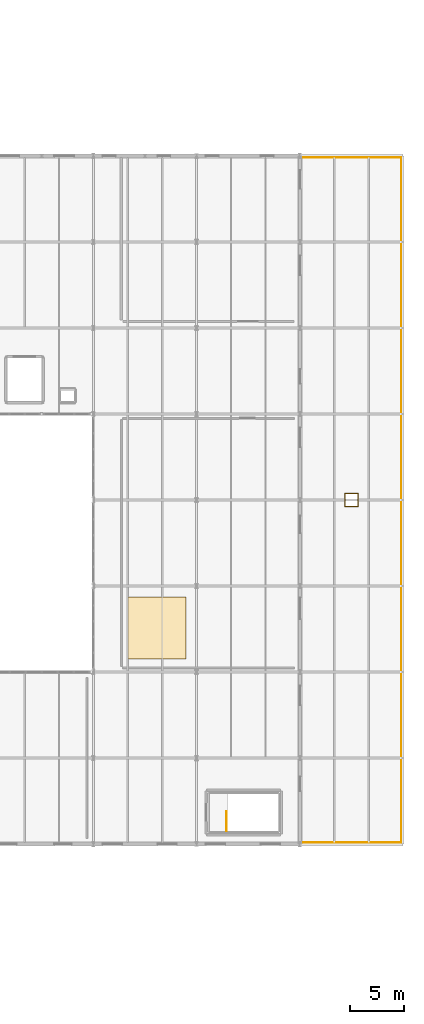
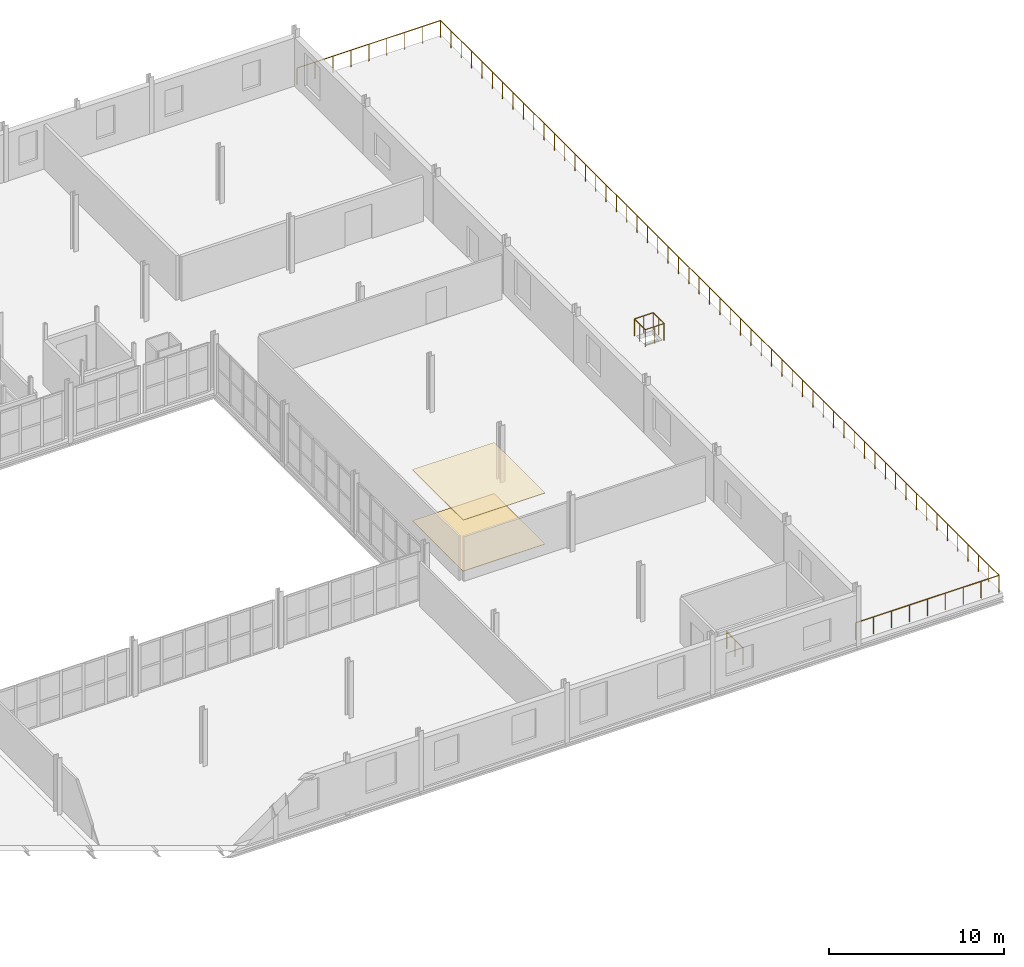
# One storey, part 85 of 85: 4 railings, 2 coverings.
"""IFC4 building model written with IfcOpenShell, lengths in metres."""

from ifc_helpers import new_model, si_unit, direction, frame, origin, origin_2d, place, context, subcontext, project, spatial, polyline, circle, outline, extrude, material, layer, layer_set, type_object, element, save


model = new_model("IFC4")

# Units and contexts
model_context = context("Model", 3, precision=1e-05, world=origin(), true_north=direction((0.0, 1.0)))
body_context = subcontext(model_context, "Body", "Model", "MODEL_VIEW")
ifc_project = project(units=[si_unit("LENGTHUNIT", "METRE"), si_unit("AREAUNIT", "SQUARE_METRE"), si_unit("VOLUMEUNIT", "CUBIC_METRE"), si_unit("PLANEANGLEUNIT", "RADIAN"), si_unit("MASSUNIT", "GRAM", prefix="KILO")], contexts=[model_context])

# Site, building, storey
site_placement = place(None, origin())
site = spatial("IfcSite", under=ifc_project, at=site_placement, CompositionType="ELEMENT")
building_placement = place(site_placement, origin())
building = spatial("IfcBuilding", under=site, at=building_placement, Name="Alderhovde Museum", CompositionType="ELEMENT")
storey_placement = place(building_placement, frame((0.0, 0.0, 8.699951171875)))
storey = spatial("IfcBuildingStorey", under=building, at=storey_placement, Name="L02", CompositionType="ELEMENT", Elevation=8.699951171875)

# Coverings
ifc_material_1 = material(Name="Perforated Gypsum Acoustic Ceiling")
ifc_layer_1 = layer(ifc_material_1, 0.0400390625)
ifc_layer_set_1 = layer_set([ifc_layer_1], Name="Perforated Gypsum Acoustic Ceiling")
covering_type_1 = type_object("IfcCoveringType", Name="COV-CEIL-ACOU", PredefinedType="CEILING", material=ifc_layer_set_1)
covering_1_placement = place(storey_placement, frame((0.0, 0.0, 3.550048828125)))
element("IfcCovering", 1, at=covering_1_placement, inside=storey, type_object=covering_type_1, Name="L02 Acoustic Gallery Ceiling 6", PredefinedType="CEILING", context=body_context, shape_type="SweptSolid", body=[
    extrude(outline(polyline([(147.199951171875, 49.199951171875), (152.60009765625, 49.199951171875), (152.60009765625, 55.0), (147.199951171875, 55.0), (147.199951171875, 49.199951171875)])), origin(), (0.0, 0.0, 1.0), 0.0400390625),
])
ifc_material_2 = material(Name="Honed Nordic Granite Terrazzo Flooring", Category="masonry")
ifc_layer_2 = layer(ifc_material_2, 0.030029296875)
ifc_layer_set_2 = layer_set([ifc_layer_2], Name="Honed Nordic Granite Terrazzo Flooring")
covering_type_2 = type_object("IfcCoveringType", Name="COV-FLR-TERRAZZO", PredefinedType="FLOORING", material=ifc_layer_set_2)
covering_2_placement = place(storey_placement, origin())
element("IfcCovering", 2, at=covering_2_placement, inside=storey, type_object=covering_type_2, Name="L02 Granite Terrazzo Flooring 6", PredefinedType="FLOORING", context=body_context, shape_type="SweptSolid", body=[
    extrude(outline(polyline([(147.199951171875, 49.199951171875), (152.60009765625, 49.199951171875), (152.60009765625, 55.0), (147.199951171875, 55.0), (147.199951171875, 49.199951171875)])), origin(), (0.0, 0.0, 1.0), 0.030029296875),
])

# Railings
ifc_material_3 = material(Name="Bronze-Anodised Steel and Honed Limestone Balustrade", Category="masonry")
railing_type_1 = type_object("IfcRailingType", Name="RL-BALUSTRADE-1200", PredefinedType="BALUSTRADE", material=ifc_material_3)
railing_1_placement = place(storey_placement, frame((163.199951171875, 32.14990234375, 0.0)))
element("IfcRailing", 3, at=railing_1_placement, inside=storey, type_object=railing_type_1, Name="L02 Terrace Balustrade BAL-L02-EAST-PERIM", PredefinedType="BALUSTRADE", context=body_context, shape_type="SweptSolid", body=[
    extrude(circle(Radius=0.030029296875, at=origin_2d()), frame((0.0, 0.0, 1.169921875), z_axis=(1.0, 0.0, 0.0), x_axis=(0.0, 1.0, 0.0)), (0.0, 0.0, 1.0), 9.449951171875),
    extrude(circle(Radius=0.030029296875, at=origin_2d()), frame((9.449951171875, 0.0, 1.169921875), z_axis=(0.0, 1.0, 0.0), x_axis=(-1.0, 0.0, 0.0)), (0.0, 0.0, 1.0), 63.7001953125),
    extrude(circle(Radius=0.030029296875, at=origin_2d()), frame((9.449951171875, 63.7001953125, 1.169921875), z_axis=(-1.0, 0.0, 0.0), x_axis=(0.0, -1.0, 0.0)), (0.0, 0.0, 1.0), 9.449951171875),
    extrude(circle(Radius=0.02490234375, at=origin_2d()), origin(), (0.0, 0.0, 1.0), 1.139892578125),
    extrude(circle(Radius=0.02490234375, at=origin_2d()), frame((1.18115234375, 0.0, 0.0)), (0.0, 0.0, 1.0), 1.139892578125),
    extrude(circle(Radius=0.02490234375, at=origin_2d()), frame((2.362548828125, 0.0, 0.0)), (0.0, 0.0, 1.0), 1.139892578125),
    extrude(circle(Radius=0.02490234375, at=origin_2d()), frame((3.543701171875, 0.0, 0.0)), (0.0, 0.0, 1.0), 1.139892578125),
    extrude(circle(Radius=0.02490234375, at=origin_2d()), frame((4.72509765625, 0.0, 0.0)), (0.0, 0.0, 1.0), 1.139892578125),
    extrude(circle(Radius=0.02490234375, at=origin_2d()), frame((5.90625, 0.0, 0.0)), (0.0, 0.0, 1.0), 1.139892578125),
    extrude(circle(Radius=0.02490234375, at=origin_2d()), frame((7.08740234375, 0.0, 0.0)), (0.0, 0.0, 1.0), 1.139892578125),
    extrude(circle(Radius=0.02490234375, at=origin_2d()), frame((8.268798828125, 0.0, 0.0)), (0.0, 0.0, 1.0), 1.139892578125),
    extrude(circle(Radius=0.02490234375, at=origin_2d()), frame((9.449951171875, 0.0, 0.0)), (0.0, 0.0, 1.0), 1.139892578125),
    extrude(circle(Radius=0.02490234375, at=origin_2d()), frame((9.449951171875, 1.1796875, 0.0)), (0.0, 0.0, 1.0), 1.139892578125),
    extrude(circle(Radius=0.02490234375, at=origin_2d()), frame((9.449951171875, 2.359375, 0.0)), (0.0, 0.0, 1.0), 1.139892578125),
    extrude(circle(Radius=0.02490234375, at=origin_2d()), frame((9.449951171875, 3.538818359375, 0.0)), (0.0, 0.0, 1.0), 1.139892578125),
    extrude(circle(Radius=0.02490234375, at=origin_2d()), frame((9.449951171875, 4.718505859375, 0.0)), (0.0, 0.0, 1.0), 1.139892578125),
    extrude(circle(Radius=0.02490234375, at=origin_2d()), frame((9.449951171875, 5.898193359375, 0.0)), (0.0, 0.0, 1.0), 1.139892578125),
    extrude(circle(Radius=0.02490234375, at=origin_2d()), frame((9.449951171875, 7.077880859375, 0.0)), (0.0, 0.0, 1.0), 1.139892578125),
    extrude(circle(Radius=0.02490234375, at=origin_2d()), frame((9.449951171875, 8.25732421875, 0.0)), (0.0, 0.0, 1.0), 1.139892578125),
    extrude(circle(Radius=0.02490234375, at=origin_2d()), frame((9.449951171875, 9.43701171875, 0.0)), (0.0, 0.0, 1.0), 1.139892578125),
    extrude(circle(Radius=0.02490234375, at=origin_2d()), frame((9.449951171875, 10.61669921875, 0.0)), (0.0, 0.0, 1.0), 1.139892578125),
    extrude(circle(Radius=0.02490234375, at=origin_2d()), frame((9.449951171875, 11.79638671875, 0.0)), (0.0, 0.0, 1.0), 1.139892578125),
    extrude(circle(Radius=0.02490234375, at=origin_2d()), frame((9.449951171875, 12.97607421875, 0.0)), (0.0, 0.0, 1.0), 1.139892578125),
    extrude(circle(Radius=0.02490234375, at=origin_2d()), frame((9.449951171875, 14.155517578125, 0.0)), (0.0, 0.0, 1.0), 1.139892578125),
    extrude(circle(Radius=0.02490234375, at=origin_2d()), frame((9.449951171875, 15.335205078125, 0.0)), (0.0, 0.0, 1.0), 1.139892578125),
    extrude(circle(Radius=0.02490234375, at=origin_2d()), frame((9.449951171875, 16.514892578125, 0.0)), (0.0, 0.0, 1.0), 1.139892578125),
    extrude(circle(Radius=0.02490234375, at=origin_2d()), frame((9.449951171875, 17.694580078125, 0.0)), (0.0, 0.0, 1.0), 1.139892578125),
    extrude(circle(Radius=0.02490234375, at=origin_2d()), frame((9.449951171875, 18.8740234375, 0.0)), (0.0, 0.0, 1.0), 1.139892578125),
    extrude(circle(Radius=0.02490234375, at=origin_2d()), frame((9.449951171875, 20.0537109375, 0.0)), (0.0, 0.0, 1.0), 1.139892578125),
    extrude(circle(Radius=0.02490234375, at=origin_2d()), frame((9.449951171875, 21.2333984375, 0.0)), (0.0, 0.0, 1.0), 1.139892578125),
    extrude(circle(Radius=0.02490234375, at=origin_2d()), frame((9.449951171875, 22.4130859375, 0.0)), (0.0, 0.0, 1.0), 1.139892578125),
    extrude(circle(Radius=0.02490234375, at=origin_2d()), frame((9.449951171875, 23.5927734375, 0.0)), (0.0, 0.0, 1.0), 1.139892578125),
    extrude(circle(Radius=0.02490234375, at=origin_2d()), frame((9.449951171875, 24.772216796875, 0.0)), (0.0, 0.0, 1.0), 1.139892578125),
    extrude(circle(Radius=0.02490234375, at=origin_2d()), frame((9.449951171875, 25.951904296875, 0.0)), (0.0, 0.0, 1.0), 1.139892578125),
    extrude(circle(Radius=0.02490234375, at=origin_2d()), frame((9.449951171875, 27.131591796875, 0.0)), (0.0, 0.0, 1.0), 1.139892578125),
    extrude(circle(Radius=0.02490234375, at=origin_2d()), frame((9.449951171875, 28.311279296875, 0.0)), (0.0, 0.0, 1.0), 1.139892578125),
    extrude(circle(Radius=0.02490234375, at=origin_2d()), frame((9.449951171875, 29.49072265625, 0.0)), (0.0, 0.0, 1.0), 1.139892578125),
    extrude(circle(Radius=0.02490234375, at=origin_2d()), frame((9.449951171875, 30.67041015625, 0.0)), (0.0, 0.0, 1.0), 1.139892578125),
    extrude(circle(Radius=0.02490234375, at=origin_2d()), frame((9.449951171875, 31.85009765625, 0.0)), (0.0, 0.0, 1.0), 1.139892578125),
    extrude(circle(Radius=0.02490234375, at=origin_2d()), frame((9.449951171875, 33.02978515625, 0.0)), (0.0, 0.0, 1.0), 1.139892578125),
    extrude(circle(Radius=0.02490234375, at=origin_2d()), frame((9.449951171875, 34.20947265625, 0.0)), (0.0, 0.0, 1.0), 1.139892578125),
    extrude(circle(Radius=0.02490234375, at=origin_2d()), frame((9.449951171875, 35.388916015625, 0.0)), (0.0, 0.0, 1.0), 1.139892578125),
    extrude(circle(Radius=0.02490234375, at=origin_2d()), frame((9.449951171875, 36.568603515625, 0.0)), (0.0, 0.0, 1.0), 1.139892578125),
    extrude(circle(Radius=0.02490234375, at=origin_2d()), frame((9.449951171875, 37.748291015625, 0.0)), (0.0, 0.0, 1.0), 1.139892578125),
    extrude(circle(Radius=0.02490234375, at=origin_2d()), frame((9.449951171875, 38.927978515625, 0.0)), (0.0, 0.0, 1.0), 1.139892578125),
    extrude(circle(Radius=0.02490234375, at=origin_2d()), frame((9.449951171875, 40.107421875, 0.0)), (0.0, 0.0, 1.0), 1.139892578125),
    extrude(circle(Radius=0.02490234375, at=origin_2d()), frame((9.449951171875, 41.287109375, 0.0)), (0.0, 0.0, 1.0), 1.139892578125),
    extrude(circle(Radius=0.02490234375, at=origin_2d()), frame((9.449951171875, 42.466796875, 0.0)), (0.0, 0.0, 1.0), 1.139892578125),
    extrude(circle(Radius=0.02490234375, at=origin_2d()), frame((9.449951171875, 43.646484375, 0.0)), (0.0, 0.0, 1.0), 1.139892578125),
    extrude(circle(Radius=0.02490234375, at=origin_2d()), frame((9.449951171875, 44.826171875, 0.0)), (0.0, 0.0, 1.0), 1.139892578125),
    extrude(circle(Radius=0.02490234375, at=origin_2d()), frame((9.449951171875, 46.005615234375, 0.0)), (0.0, 0.0, 1.0), 1.139892578125),
    extrude(circle(Radius=0.02490234375, at=origin_2d()), frame((9.449951171875, 47.185302734375, 0.0)), (0.0, 0.0, 1.0), 1.139892578125),
    extrude(circle(Radius=0.02490234375, at=origin_2d()), frame((9.449951171875, 48.364990234375, 0.0)), (0.0, 0.0, 1.0), 1.139892578125),
    extrude(circle(Radius=0.02490234375, at=origin_2d()), frame((9.449951171875, 49.544677734375, 0.0)), (0.0, 0.0, 1.0), 1.139892578125),
    extrude(circle(Radius=0.02490234375, at=origin_2d()), frame((9.449951171875, 50.72412109375, 0.0)), (0.0, 0.0, 1.0), 1.139892578125),
    extrude(circle(Radius=0.02490234375, at=origin_2d()), frame((9.449951171875, 51.90380859375, 0.0)), (0.0, 0.0, 1.0), 1.139892578125),
    extrude(circle(Radius=0.02490234375, at=origin_2d()), frame((9.449951171875, 53.08349609375, 0.0)), (0.0, 0.0, 1.0), 1.139892578125),
    extrude(circle(Radius=0.02490234375, at=origin_2d()), frame((9.449951171875, 54.26318359375, 0.0)), (0.0, 0.0, 1.0), 1.139892578125),
    extrude(circle(Radius=0.02490234375, at=origin_2d()), frame((9.449951171875, 55.44287109375, 0.0)), (0.0, 0.0, 1.0), 1.139892578125),
    extrude(circle(Radius=0.02490234375, at=origin_2d()), frame((9.449951171875, 56.622314453125, 0.0)), (0.0, 0.0, 1.0), 1.139892578125),
    extrude(circle(Radius=0.02490234375, at=origin_2d()), frame((9.449951171875, 57.802001953125, 0.0)), (0.0, 0.0, 1.0), 1.139892578125),
    extrude(circle(Radius=0.02490234375, at=origin_2d()), frame((9.449951171875, 58.981689453125, 0.0)), (0.0, 0.0, 1.0), 1.139892578125),
    extrude(circle(Radius=0.02490234375, at=origin_2d()), frame((9.449951171875, 60.161376953125, 0.0)), (0.0, 0.0, 1.0), 1.139892578125),
    extrude(circle(Radius=0.02490234375, at=origin_2d()), frame((9.449951171875, 61.3408203125, 0.0)), (0.0, 0.0, 1.0), 1.139892578125),
    extrude(circle(Radius=0.02490234375, at=origin_2d()), frame((9.449951171875, 62.5205078125, 0.0)), (0.0, 0.0, 1.0), 1.139892578125),
    extrude(circle(Radius=0.02490234375, at=origin_2d()), frame((9.449951171875, 63.7001953125, 0.0)), (0.0, 0.0, 1.0), 1.139892578125),
    extrude(circle(Radius=0.02490234375, at=origin_2d()), frame((8.268798828125, 63.7001953125, 0.0)), (0.0, 0.0, 1.0), 1.139892578125),
    extrude(circle(Radius=0.02490234375, at=origin_2d()), frame((7.08740234375, 63.7001953125, 0.0)), (0.0, 0.0, 1.0), 1.139892578125),
    extrude(circle(Radius=0.02490234375, at=origin_2d()), frame((5.90625, 63.7001953125, 0.0)), (0.0, 0.0, 1.0), 1.139892578125),
    extrude(circle(Radius=0.02490234375, at=origin_2d()), frame((4.72509765625, 63.7001953125, 0.0)), (0.0, 0.0, 1.0), 1.139892578125),
    extrude(circle(Radius=0.02490234375, at=origin_2d()), frame((3.543701171875, 63.7001953125, 0.0)), (0.0, 0.0, 1.0), 1.139892578125),
    extrude(circle(Radius=0.02490234375, at=origin_2d()), frame((2.362548828125, 63.7001953125, 0.0)), (0.0, 0.0, 1.0), 1.139892578125),
    extrude(circle(Radius=0.02490234375, at=origin_2d()), frame((1.18115234375, 63.7001953125, 0.0)), (0.0, 0.0, 1.0), 1.139892578125),
    extrude(circle(Radius=0.02490234375, at=origin_2d()), frame((0.0, 63.7001953125, 0.0)), (0.0, 0.0, 1.0), 1.139892578125),
])
railing_2_placement = place(storey_placement, frame((167.3798828125, 63.3798828125, 0.0)))
element("IfcRailing", 4, at=railing_2_placement, inside=storey, type_object=railing_type_1, Name="L02 Terrace Planter Guard SLAB-TERR-L02-EAST A", PredefinedType="BALUSTRADE", context=body_context, shape_type="SweptSolid", body=[
    extrude(circle(Radius=0.02392578125, at=origin_2d()), frame((0.0, 0.0, 1.17578125), z_axis=(1.0, 0.0, 0.0), x_axis=(0.0, 1.0, 0.0)), (0.0, 0.0, 1.0), 1.240234375),
    extrude(circle(Radius=0.02392578125, at=origin_2d()), frame((1.240234375, 0.0, 1.17578125), z_axis=(0.0, 1.0, 0.0), x_axis=(-1.0, 0.0, 0.0)), (0.0, 0.0, 1.0), 1.240234375),
    extrude(circle(Radius=0.02099609375, at=origin_2d()), origin(), (0.0, 0.0, 1.0), 1.15185546875),
    extrude(circle(Radius=0.02099609375, at=origin_2d()), frame((0.6201171875, 0.0, 0.0)), (0.0, 0.0, 1.0), 1.15185546875),
    extrude(circle(Radius=0.02099609375, at=origin_2d()), frame((1.240234375, 0.0, 0.0)), (0.0, 0.0, 1.0), 1.15185546875),
    extrude(circle(Radius=0.02099609375, at=origin_2d()), frame((1.240234375, 0.6201171875, 0.0)), (0.0, 0.0, 1.0), 1.15185546875),
    extrude(circle(Radius=0.02099609375, at=origin_2d()), frame((1.240234375, 1.240234375, 0.0)), (0.0, 0.0, 1.0), 1.15185546875),
])
railing_3_placement = place(storey_placement, frame((168.6201171875, 64.6201171875, 0.0)))
element("IfcRailing", 5, at=railing_3_placement, inside=storey, type_object=railing_type_1, Name="L02 Terrace Planter Guard SLAB-TERR-L02-EAST B", PredefinedType="BALUSTRADE", context=body_context, shape_type="SweptSolid", body=[
    extrude(circle(Radius=0.02392578125, at=origin_2d()), frame((0.0, 0.0, 1.17578125), z_axis=(-1.0, 0.0, 0.0), x_axis=(0.0, -1.0, 0.0)), (0.0, 0.0, 1.0), 1.240234375),
    extrude(circle(Radius=0.02392578125, at=origin_2d()), frame((-1.240234375, 0.0, 1.17578125), z_axis=(0.0, -1.0, 0.0), x_axis=(1.0, 0.0, 0.0)), (0.0, 0.0, 1.0), 1.240234375),
    extrude(circle(Radius=0.02099609375, at=origin_2d()), origin(), (0.0, 0.0, 1.0), 1.15185546875),
    extrude(circle(Radius=0.02099609375, at=origin_2d()), frame((-0.6201171875, 0.0, 0.0)), (0.0, 0.0, 1.0), 1.15185546875),
    extrude(circle(Radius=0.02099609375, at=origin_2d()), frame((-1.240234375, 0.0, 0.0)), (0.0, 0.0, 1.0), 1.15185546875),
    extrude(circle(Radius=0.02099609375, at=origin_2d()), frame((-1.240234375, -0.6201171875, 0.0)), (0.0, 0.0, 1.0), 1.15185546875),
    extrude(circle(Radius=0.02099609375, at=origin_2d()), frame((-1.240234375, -1.240234375, 0.0)), (0.0, 0.0, 1.0), 1.15185546875),
])
ifc_material_4 = material(Name="Painted Steel S355 Guardrail", Category="steel")
railing_type_2 = type_object("IfcRailingType", Name="RL-GUARD-1200", PredefinedType="GUARDRAIL", material=ifc_material_4)
railing_4_placement = place(storey_placement, frame((156.389892578125, 33.199951171875, 0.0)))
element("IfcRailing", 6, at=railing_4_placement, inside=storey, type_object=railing_type_2, Name="L02 ST7 top well guard 1", PredefinedType="GUARDRAIL", context=body_context, shape_type="SweptSolid", body=[
    extrude(circle(Radius=0.02392578125, at=origin_2d()), frame((0.0, 0.0, 1.17578125), z_axis=(0.0, 1.0, 0.0), x_axis=(-1.0, 0.0, 0.0)), (0.0, 0.0, 1.0), 1.840087890625),
    extrude(circle(Radius=0.02099609375, at=origin_2d()), origin(), (0.0, 0.0, 1.0), 1.15185546875),
    extrude(circle(Radius=0.02099609375, at=origin_2d()), frame((0.0, 0.919921875, 0.0)), (0.0, 0.0, 1.0), 1.15185546875),
    extrude(circle(Radius=0.02099609375, at=origin_2d()), frame((0.0, 1.840087890625, 0.0)), (0.0, 0.0, 1.0), 1.15185546875),
])

save(model, "model.ifc")
